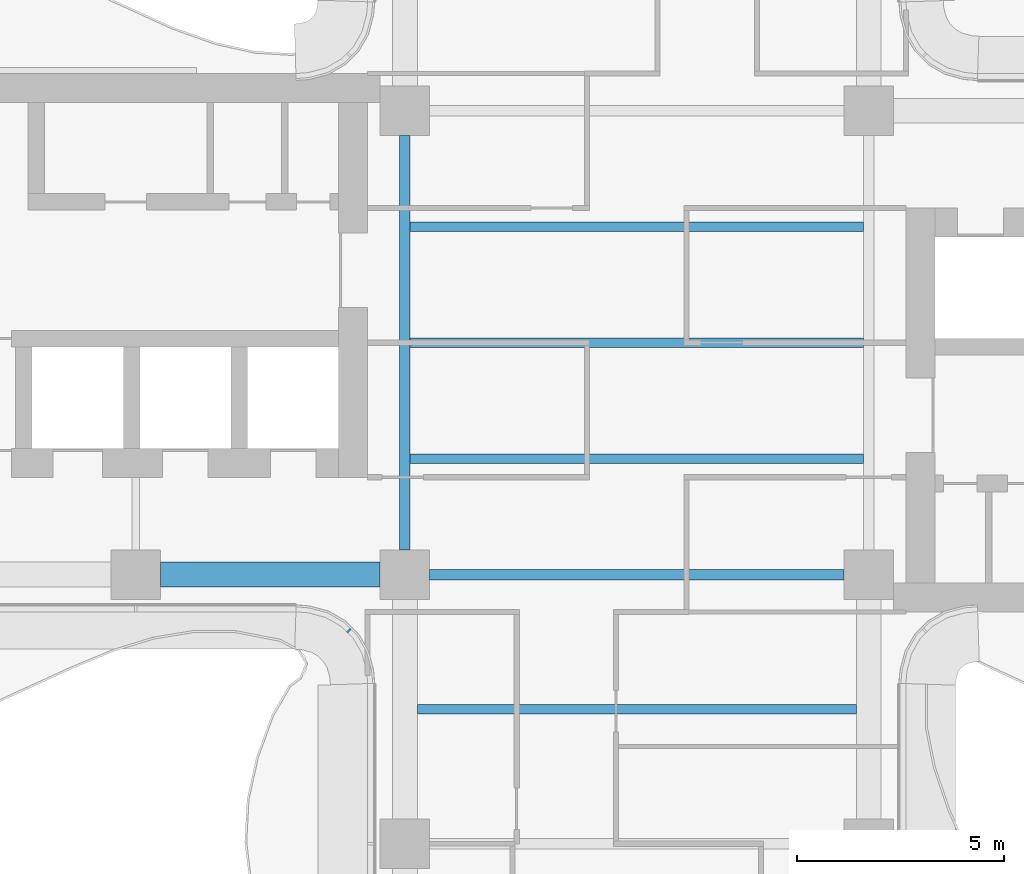
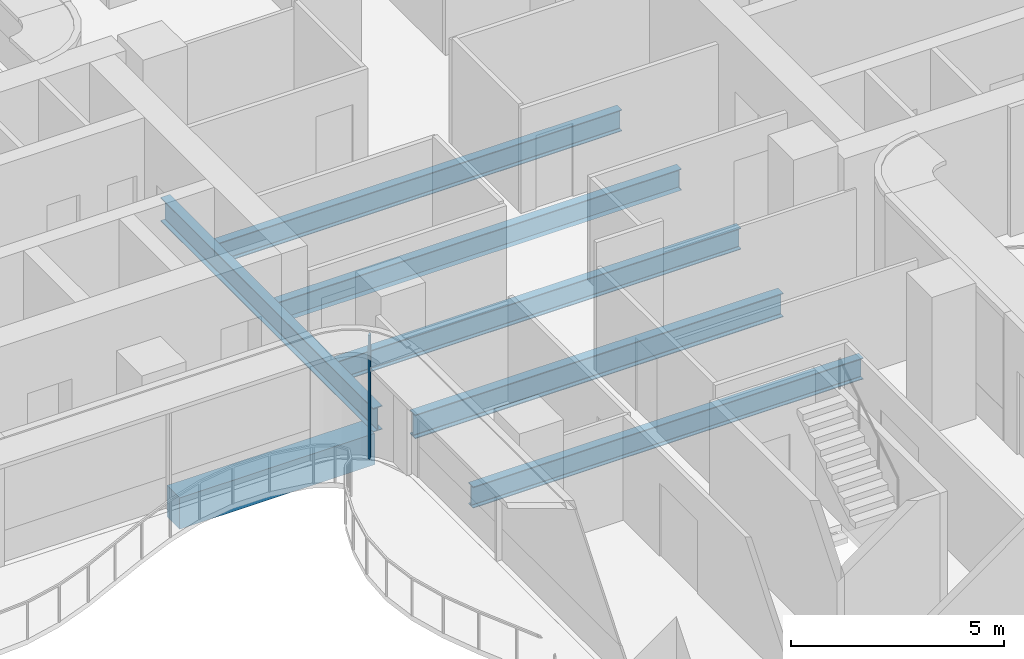
# One storey, part 4 of 18: 7 beams, 1 member, 1 element without a shape of its own.
"""IFC4 building model written with IfcOpenShell, lengths in metres."""

import ifcopenshell
import ifcopenshell.guid

model = None  # the IFC model being written
_history = None  # IfcOwnerHistory: only IFC2X3 demands one
_inside = {}  # id of a spatial element -> (the spatial element, [elements in it])
_under = {}  # id of a project, library or spatial element -> (it, [spatial elements below it])
_declared = {}  # id of a project -> (the project, [libraries it declares])
_typed = {}  # id of a type object -> (the type object, [elements of that type])
_made_of = {}  # id of a material, layer set ... -> (it, [elements and type objects made of it])


def new_model(schema):
    """Start an empty IFC model of exactly this schema.

    Asked for "IFC4X3", IfcOpenShell would pick the latest addendum, in which some entities
    have other attributes; the version numbers below select the first issue.
    IFC2X3 requires an IfcOwnerHistory on every rooted entity: one is made here for all.
    """
    global model, _history
    if schema == "IFC4X3":
        model = ifcopenshell.file(schema_version=(4, 3, 0, 0))
    else:
        model = ifcopenshell.file(schema=schema)
    _inside.clear()
    _under.clear()
    _declared.clear()
    _typed.clear()
    _made_of.clear()
    _history = None
    if model.schema == "IFC2X3":
        org = make("IfcOrganization", Name="unknown")
        user = make(
            "IfcPersonAndOrganization",
            ThePerson=make("IfcPerson", FamilyName="unknown"),
            TheOrganization=org,
        )
        app = make(
            "IfcApplication",
            ApplicationDeveloper=org,
            Version="unknown",
            ApplicationFullName="unknown",
            ApplicationIdentifier="unknown",
        )
        _history = make(
            "IfcOwnerHistory",
            OwningUser=user,
            OwningApplication=app,
            ChangeAction="ADDED",
            CreationDate=0,
        )
    return model


def make(cls, **values):
    """One entity of the class cls with the attributes given. An attribute that is None is left unset."""
    return model.create_entity(
        cls, **{name: value for name, value in values.items() if value is not None}
    )


def rooted(cls, **values):
    """An entity with a GlobalId (a new one), such as an element, a storey or a relation."""
    return make(cls, GlobalId=ifcopenshell.guid.new(), OwnerHistory=_history, **values)


def si_unit(unit_type, name, prefix=None):
    """IfcSIUnit, for example si_unit("LENGTHUNIT", "METRE", prefix="MILLI")."""
    return make("IfcSIUnit", UnitType=unit_type, Prefix=prefix, Name=name)


def assignment(units):
    """IfcUnitAssignment: the units of a project."""
    return None if units is None else make("IfcUnitAssignment", Units=units)


def point(xyz):
    """IfcCartesianPoint."""
    return None if xyz is None else make("IfcCartesianPoint", Coordinates=xyz)


def direction(xyz):
    """IfcDirection."""
    return None if xyz is None else make("IfcDirection", DirectionRatios=xyz)


def frame(location, z_axis=None, x_axis=None):
    """IfcAxis2Placement3D, a coordinate frame: its origin and axes. An axis left out is left unset."""
    return make(
        "IfcAxis2Placement3D",
        Location=point(location),
        Axis=direction(z_axis),
        RefDirection=direction(x_axis),
    )


def frame_2d(location, x_axis=None):
    """IfcAxis2Placement2D, a coordinate frame in the plane: its origin and x axis."""
    return make(
        "IfcAxis2Placement2D", Location=point(location), RefDirection=direction(x_axis)
    )


def origin():
    """The frame at (0, 0, 0) with its axes left unset."""
    return frame((0.0, 0.0, 0.0))


def origin_2d():
    """The frame at (0, 0) in the plane with its x axis left unset."""
    return frame_2d((0.0, 0.0))


def place(relative_to, where):
    """IfcLocalPlacement: puts the frame where relative to a parent placement (None: the world)."""
    return make(
        "IfcLocalPlacement", PlacementRelTo=relative_to, RelativePlacement=where
    )


def context(
    kind, dimensions, precision=None, world=None, true_north=None, identifier=None
):
    """IfcGeometricRepresentationContext, for example the 3D "Model" context."""
    return make(
        "IfcGeometricRepresentationContext",
        ContextIdentifier=identifier,
        ContextType=kind,
        CoordinateSpaceDimension=dimensions,
        Precision=precision,
        WorldCoordinateSystem=world,
        TrueNorth=true_north,
    )


def subcontext(parent, identifier, kind, view, scale=None):
    """IfcGeometricRepresentationSubContext, for example "Body" below "Model"."""
    return make(
        "IfcGeometricRepresentationSubContext",
        ContextIdentifier=identifier,
        ContextType=kind,
        ParentContext=parent,
        TargetScale=scale,
        TargetView=view,
    )


def project(units=None, contexts=None):
    """IfcProject with its units and contexts."""
    return rooted(
        "IfcProject",
        Name="project",
        RepresentationContexts=contexts,
        UnitsInContext=assignment(units),
    )


def spatial(cls, under=None, at=None, **own):
    """A site, building, storey or space (cls), placed at a placement, below another one or the project."""
    s = rooted(cls, ObjectPlacement=at, **own)
    if under is not None:
        _under.setdefault(under.id(), (under, []))[1].append(s)
    return s


def profile(cls, at=None, kind="AREA", **sizes):
    """A parametric profile (cls). Its sizes go by their IFC names, for example OverallWidth=200.0."""
    return make(cls, ProfileType=kind, Position=at, **sizes)


def rectangle(**sizes):
    """IfcRectangleProfileDef."""
    return profile("IfcRectangleProfileDef", **sizes)


def i_section(**sizes):
    """IfcIShapeProfileDef."""
    return profile("IfcIShapeProfileDef", **sizes)


def extrude(swept, where, along, depth):
    """IfcExtrudedAreaSolid: the profile swept, set in the frame where, extruded along a direction by depth."""
    return make(
        "IfcExtrudedAreaSolid",
        SweptArea=swept,
        Position=where,
        ExtrudedDirection=direction(along),
        Depth=depth,
    )


def shape(context_of_items, identifier, shape_type, items):
    """IfcShapeRepresentation: the items that make up one representation, for example the "Body"."""
    return make(
        "IfcShapeRepresentation",
        ContextOfItems=context_of_items,
        RepresentationIdentifier=identifier,
        RepresentationType=shape_type,
        Items=items,
    )


def source(mapping_origin, context_of_items, identifier, shape_type, items):
    """IfcRepresentationMap: a shape defined once, which mapped items show again and again."""
    return make(
        "IfcRepresentationMap",
        MappingOrigin=mapping_origin,
        MappedRepresentation=shape(context_of_items, identifier, shape_type, items),
    )


def transform(
    local_origin,
    x_axis=None,
    y_axis=None,
    z_axis=None,
    scale=None,
    scale2=None,
    scale3=None,
    uniform=True,
):
    """IfcCartesianTransformationOperator3D, or its non-uniform kind. x_axis, y_axis, z_axis: its Axis1, 2, 3."""
    if uniform:
        return make(
            "IfcCartesianTransformationOperator3D",
            Axis1=direction(x_axis),
            Axis2=direction(y_axis),
            LocalOrigin=point(local_origin),
            Scale=scale,
            Axis3=direction(z_axis),
        )
    return make(
        "IfcCartesianTransformationOperator3DnonUniform",
        Axis1=direction(x_axis),
        Axis2=direction(y_axis),
        LocalOrigin=point(local_origin),
        Scale=scale,
        Axis3=direction(z_axis),
        Scale2=scale2,
        Scale3=scale3,
    )


def mapped(mapping_source, mapping_target):
    """IfcMappedItem: shows the shape of a source again, moved by a transform."""
    return make(
        "IfcMappedItem", MappingSource=mapping_source, MappingTarget=mapping_target
    )


def material(Name=None, Category=None):
    """IfcMaterial."""
    return make("IfcMaterial", Name=Name, Category=Category)


def layer(
    of_material, thickness, ventilated=None, Name=None, Category=None, Priority=None
):
    """IfcMaterialLayer: one layer of a wall or slab, of a material (None: an air gap)."""
    return make(
        "IfcMaterialLayer",
        Material=of_material,
        LayerThickness=thickness,
        IsVentilated=ventilated,
        Name=Name,
        Category=Category,
        Priority=Priority,
    )


def layer_set(layers, Name=None):
    """IfcMaterialLayerSet."""
    return make("IfcMaterialLayerSet", MaterialLayers=layers, LayerSetName=Name)


def material_profile(
    of_material, cross_section, Name=None, Category=None, Priority=None
):
    """IfcMaterialProfile: a cross section and its material."""
    return make(
        "IfcMaterialProfile",
        Name=Name,
        Material=of_material,
        Profile=cross_section,
        Priority=Priority,
        Category=Category,
    )


def profile_set(profiles, Name=None, composite=None):
    """IfcMaterialProfileSet."""
    return make(
        "IfcMaterialProfileSet",
        Name=Name,
        MaterialProfiles=profiles,
        CompositeProfile=composite,
    )


def made_of(thing, what):
    """Note that an element or type object is made of a material, layer set ...; save() writes the relation."""
    if what is not None:
        _made_of.setdefault(what.id(), (what, []))[1].append(thing)
    return thing


def type_object(cls, material=None, **own):
    """A type object (cls), such as IfcWallType, which elements share."""
    return made_of(rooted(cls, **own), material)


def element(
    cls,
    number,
    at=None,
    inside=None,
    cuts=None,
    type_object=None,
    material=None,
    context=None,
    identifier="Body",
    shape_type=None,
    held_by="IfcProductDefinitionShape",
    body=None,
    shapes=None,
    **own,
):
    """One element of the class cls, such as IfcWall. Its Tag is "e" and its number.

    at: its placement. inside: the storey or other place that contains it. cuts: it is an
    opening in that element (IfcRelVoidsElement). A single representation is given by context,
    identifier, shape_type and body (its items); several are given by shapes. held_by: the class
    of the entity that holds the representations. save() writes the other relations.
    """
    e = rooted(cls, Tag="e%d" % number, ObjectPlacement=at, **own)
    if body is not None:
        shapes = [shape(context, identifier, shape_type, body)]
    if shapes is not None:
        e.Representation = make(held_by, Representations=shapes)
    if inside is not None:
        _inside.setdefault(inside.id(), (inside, []))[1].append(e)
    if cuts is not None:
        rooted(
            "IfcRelVoidsElement", RelatingBuildingElement=cuts, RelatedOpeningElement=e
        )
    if type_object is not None:
        _typed.setdefault(type_object.id(), (type_object, []))[1].append(e)
    return made_of(e, material)


def aggregate(whole, parts):
    """IfcRelAggregates: a whole, such as a stair, and the parts it consists of."""
    return rooted("IfcRelAggregates", RelatingObject=whole, RelatedObjects=parts)


def save(model, path):
    """Write the relations noted so far, then the file.

    IfcRelAggregates (storeys below a building ...), IfcRelContainedInSpatialStructure (elements
    in a storey), IfcRelDefinesByType, IfcRelAssociatesMaterial and IfcRelDeclares: one each for
    every whole, place, type object, material and project.
    """
    for whole, parts in _under.values():
        aggregate(whole, parts)
    for where, things in _inside.values():
        rooted(
            "IfcRelContainedInSpatialStructure",
            RelatedElements=things,
            RelatingStructure=where,
        )
    for kind, things in _typed.values():
        rooted("IfcRelDefinesByType", RelatedObjects=things, RelatingType=kind)
    for what, things in _made_of.values():
        rooted("IfcRelAssociatesMaterial", RelatedObjects=things, RelatingMaterial=what)
    for by, libraries in _declared.values():
        rooted("IfcRelDeclares", RelatingContext=by, RelatedDefinitions=libraries)
    model.write(path)


model = new_model("IFC4")

# Units and contexts
model_context = context("Model", 3, precision=1e-05, world=origin(), true_north=direction((0.0, 1.0)))
body_context = subcontext(model_context, "Body", "Model", "MODEL_VIEW")
ifc_project = project(units=[si_unit("LENGTHUNIT", "METRE"), si_unit("AREAUNIT", "SQUARE_METRE"), si_unit("VOLUMEUNIT", "CUBIC_METRE"), si_unit("PLANEANGLEUNIT", "RADIAN"), si_unit("MASSUNIT", "GRAM", prefix="KILO")], contexts=[model_context])

# Site, building, storey
site_placement = place(None, origin())
site = spatial("IfcSite", under=ifc_project, at=site_placement, CompositionType="ELEMENT")
building_placement = place(site_placement, origin())
building = spatial("IfcBuilding", under=site, at=building_placement, Name="Trellis Farm Tower", CompositionType="ELEMENT")
storey_placement = place(building_placement, frame((0.0, 0.0, 193.199951171875)))
storey = spatial("IfcBuildingStorey", under=building, at=storey_placement, Name="L42", CompositionType="ELEMENT", Elevation=193.199951171875)

# Beams
ifc_material_1 = material(Name="Concrete C60/75", Category="concrete")
ifc_material_profile_1 = material_profile(ifc_material_1, rectangle(XDim=0.60009765625, YDim=0.89990234375, at=origin_2d()), Name="RC spandrel beam 600x900 C60/75")
ifc_profile_set_1 = profile_set([ifc_material_profile_1], Name="Concrete C60/75")
beam_type_1 = type_object("IfcBeamType", Name="RC spandrel beam 600x900 C60/75", PredefinedType="SPANDREL", material=ifc_profile_set_1)
shared_shape_1 = source(origin(), body_context, "Body", "SweptSolid", [
    extrude(rectangle(XDim=0.60009765625, YDim=0.89990234375, at=origin_2d()), origin(), (0.0, 0.0, 1.0), 5.300048828125),
])
beam_1_placement = place(storey_placement, frame((-11.5, -5.60009765625, -0.64990234375), z_axis=(1.0, 0.0, 0.0), x_axis=(0.0, 1.0, 0.0)))
element("IfcBeam", 1, at=beam_1_placement, inside=storey, type_object=beam_type_1, Name="Girder", PredefinedType="SPANDREL", context=body_context, shape_type="MappedRepresentation", body=[
    mapped(shared_shape_1, transform((0.0, 0.0, 0.0))),
])
ifc_material_2 = material(Name="Steel S355", Category="steel")
ifc_material_profile_2 = material_profile(ifc_material_2, i_section(OverallWidth=0.253662109375, OverallDepth=0.68359375, WebThickness=0.012451171875, FlangeThickness=0.021728515625, FilletRadius=0.01513671875, at=origin_2d()), Name="UB 686x254x140")
ifc_profile_set_2 = profile_set([ifc_material_profile_2], Name="Steel S355")
beam_type_2 = type_object("IfcBeamType", Name="UB 686x254x140", PredefinedType="BEAM", material=ifc_profile_set_2)
shared_shape_2 = source(origin(), body_context, "Body", "SweptSolid", [
    extrude(i_section(OverallWidth=0.253662109375, OverallDepth=0.68359375, WebThickness=0.012451171875, FlangeThickness=0.021728515625, FilletRadius=0.01513671875, at=origin_2d()), origin(), (0.0, 0.0, 1.0), 10.0),
])
for number, where, z_axis, x_axis, name in (
    (2, (-5.0, -5.60009765625, -0.541748046875), (1.0, 0.0, 0.0), (0.0, 1.0, 0.0), "Girder"),
    (3, (-5.60009765625, -5.0, -0.541748046875), (0.0, 1.0, 0.0), (-1.0, 0.0, 0.0), "Girder"),
):
    element("IfcBeam", number, at=place(storey_placement, frame(where, z_axis=z_axis, x_axis=x_axis)), inside=storey, type_object=beam_type_2, Name=name, PredefinedType="BEAM", context=body_context, shape_type="MappedRepresentation", body=[
        mapped(shared_shape_2, transform((0.0, 0.0, 0.0))),
    ])
ifc_material_profile_3 = material_profile(ifc_material_2, i_section(OverallWidth=0.22900390625, OverallDepth=0.6123046875, WebThickness=0.011962890625, FlangeThickness=0.01953125, FilletRadius=0.0126953125, at=origin_2d()), Name="UB 610x229x125")
ifc_profile_set_3 = profile_set([ifc_material_profile_3], Name="Steel S355")
beam_type_3 = type_object("IfcBeamType", Name="UB 610x229x125 joist", PredefinedType="JOIST", material=ifc_profile_set_3)
shared_shape_3 = source(origin(), body_context, "Body", "SweptSolid", [
    extrude(i_section(OverallWidth=0.22900390625, OverallDepth=0.6123046875, WebThickness=0.011962890625, FlangeThickness=0.01953125, FilletRadius=0.0126953125, at=origin_2d()), origin(), (0.0, 0.0, 1.0), 10.9462890625),
])
for number, where, z_axis, x_axis, name in (
    (4, (-5.47314453125, -2.800048828125, -0.506103515625), (1.0, 0.0, 0.0), (0.0, 1.0, 0.0), "Floor beam"),
    (5, (-5.47314453125, 0.0, -0.506103515625), (1.0, 0.0, 0.0), (0.0, 1.0, 0.0), "Floor beam"),
    (6, (-5.47314453125, 2.800048828125, -0.506103515625), (1.0, 0.0, 0.0), (0.0, 1.0, 0.0), "Floor beam"),
):
    element("IfcBeam", number, at=place(storey_placement, frame(where, z_axis=z_axis, x_axis=x_axis)), inside=storey, type_object=beam_type_3, Name=name, PredefinedType="JOIST", context=body_context, shape_type="MappedRepresentation", body=[
        mapped(shared_shape_3, transform((0.0, 0.0, 0.0))),
    ])
shared_shape_4 = source(origin(), body_context, "Body", "SweptSolid", [
    extrude(i_section(OverallWidth=0.22900390625, OverallDepth=0.6123046875, WebThickness=0.011962890625, FlangeThickness=0.01953125, FilletRadius=0.0126953125, at=origin_2d()), origin(), (0.0, 0.0, 1.0), 10.60009765625),
])
beam_2_placement = place(storey_placement, frame((-5.300048828125, -8.85009765625, -0.506103515625), z_axis=(1.0, 0.0, 0.0), x_axis=(0.0, 1.0, 0.0)))
element("IfcBeam", 7, at=beam_2_placement, inside=storey, type_object=beam_type_3, Name="Floor beam", PredefinedType="JOIST", context=body_context, shape_type="MappedRepresentation", body=[
    mapped(shared_shape_4, transform((0.0, 0.0, 0.0))),
])

# Curtain wall, member
ifc_material_3 = material(Name="Aluminium and glass curtain wall", Category="aluminium")
ifc_layer = layer(ifc_material_3, 0.166015625)
ifc_layer_set = layer_set([ifc_layer], Name="WINTER GARDEN CURTAIN WALL CW3")
curtain_wall_type = type_object("IfcCurtainWallType", Name="WINTER GARDEN CURTAIN WALL CW3", PredefinedType="NOTDEFINED", material=ifc_layer_set)
curtain_wall_placement = place(storey_placement, origin())
curtain_wall = element("IfcCurtainWall", 8, at=curtain_wall_placement, inside=storey, type_object=curtain_wall_type, Name="CW3 001", PredefinedType="NOTDEFINED")
ifc_material_4 = material(Name="Aluminium extrusion 6063-T6", Category="aluminium")
ifc_material_profile_4 = material_profile(ifc_material_4, rectangle(XDim=0.050048828125, YDim=0.1201171875, at=origin_2d()), Name="MULLION 50x120")
ifc_profile_set_4 = profile_set([ifc_material_profile_4], Name="Aluminium extrusion 6063-T6")
member_type = type_object("IfcMemberType", Name="CW3 MULLION 50x120", PredefinedType="MULLION", material=ifc_profile_set_4)
shared_shape_5 = source(origin(), body_context, "Body", "SweptSolid", [
    extrude(rectangle(XDim=0.050048828125, YDim=0.1201171875, at=origin_2d()), origin(), (0.0, 0.0, 1.0), 3.550048828125),
])
member_placement = place(storey_placement, frame((-6.953125, -6.953125, 0.0), z_axis=(0.0, 0.0, 1.0), x_axis=(0.707106781187, -0.707106781187, 0.0)))
member = element("IfcMember", 9, at=member_placement, type_object=member_type, Name="MU3 001-01", PredefinedType="MULLION", context=body_context, shape_type="MappedRepresentation", body=[
    mapped(shared_shape_5, transform((0.0, 0.0, 0.0))),
])
aggregate(curtain_wall, [member])

save(model, "model.ifc")
